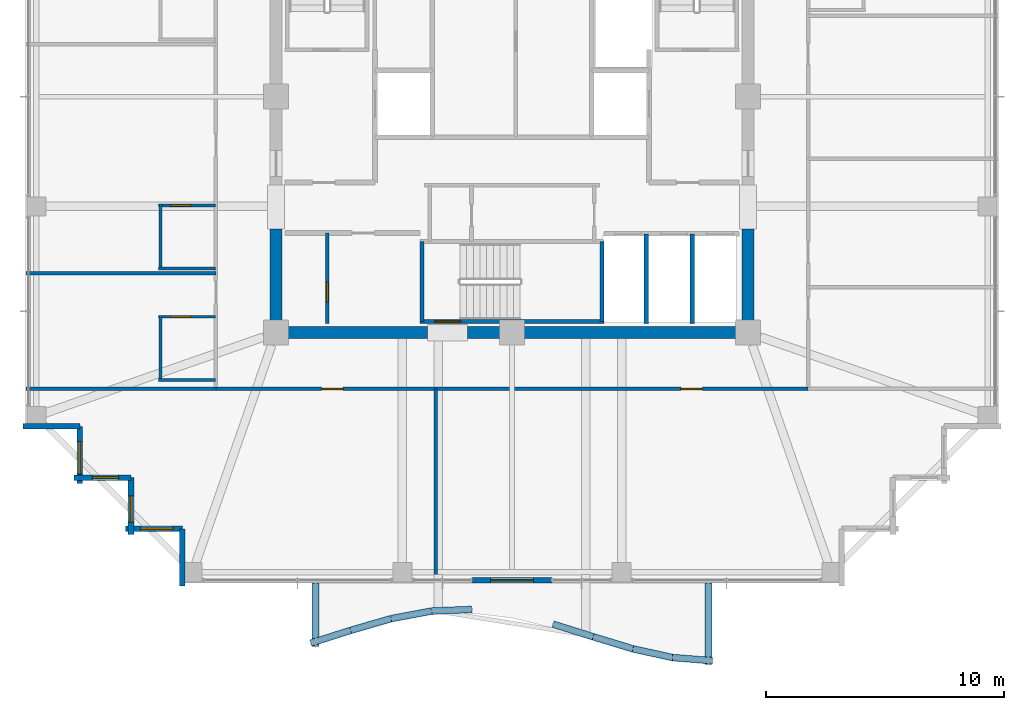
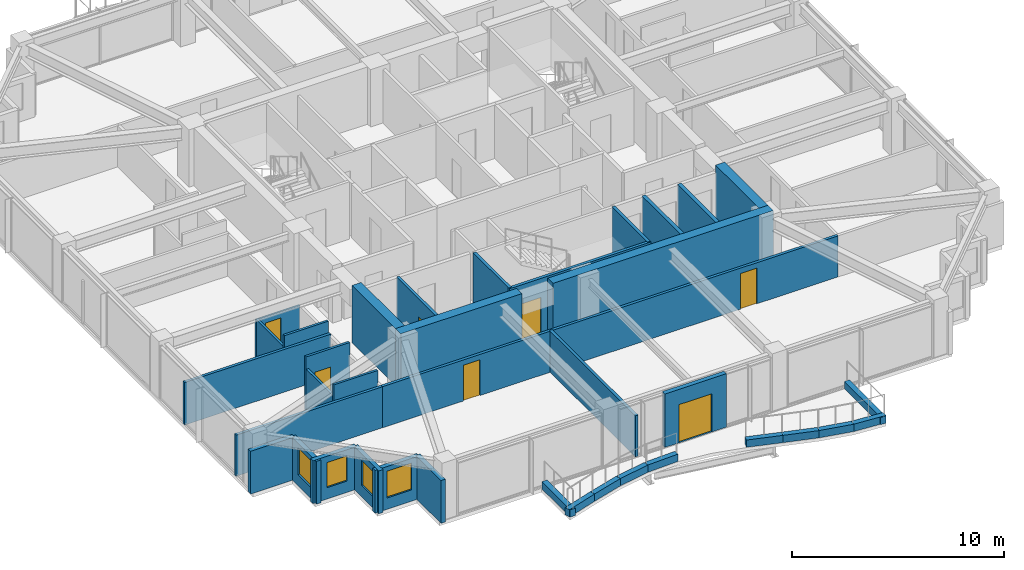
# One storey, part 30 of 36: 37 walls, 7 doors, 4 windows, 11 openings.
"""IFC4 building model written with IfcOpenShell, lengths in metres."""

from ifc_helpers import new_model, si_unit, direction, frame, frame_2d, origin, place, context, subcontext, project, spatial, rectangle, extrude, material, layer, layer_set, type_object, element, fill, save


model = new_model("IFC4")

# Units and contexts
model_context = context("Model", 3, precision=1e-05, world=origin(), true_north=direction((0.0, 1.0)))
body_context = subcontext(model_context, "Body", "Model", "MODEL_VIEW")
ifc_project = project(units=[si_unit("LENGTHUNIT", "METRE"), si_unit("AREAUNIT", "SQUARE_METRE"), si_unit("VOLUMEUNIT", "CUBIC_METRE"), si_unit("PLANEANGLEUNIT", "RADIAN"), si_unit("MASSUNIT", "GRAM", prefix="KILO")], contexts=[model_context])

# Site, building, storey
site_placement = place(None, origin())
site = spatial("IfcSite", under=ifc_project, at=site_placement, CompositionType="ELEMENT")
building_placement = place(site_placement, origin())
building = spatial("IfcBuilding", under=site, at=building_placement, Name="Kolvaren Belvedere", CompositionType="ELEMENT")
storey_placement = place(building_placement, frame((0.0, 0.0, 196.5)))
storey = spatial("IfcBuildingStorey", under=building, at=storey_placement, Name="L57", CompositionType="ELEMENT", Elevation=196.5)

# Walls
ifc_material_1 = material(Name="Concrete C50/60", Category="concrete")
ifc_layer_1 = layer(ifc_material_1, 0.5)
ifc_layer_set_1 = layer_set([ifc_layer_1], Name="Concrete C50/60")
wall_type_1 = type_object("IfcWallType", Name="CW-CORE-500", PredefinedType="SHEAR", material=ifc_layer_set_1)
wall_1_placement = place(storey_placement, frame((10.14990234375, -9.89990234375, 0.0), z_axis=(0.0, 0.0, 1.0), x_axis=(-1.0, 0.0, 0.0)))
element("IfcWall", 1, at=wall_1_placement, inside=storey, type_object=wall_type_1, Name="L57 South Core Shear Wall 1", PredefinedType="SHEAR", context=body_context, shape_type="SweptSolid", body=[
    extrude(rectangle(XDim=12.010009765625, YDim=0.5, at=frame_2d((6.0048828125, 0.0))), origin(), (0.0, 0.0, 1.0), 3.300048828125),
])
wall_2_placement = place(storey_placement, frame((-3.5400390625, -9.89990234375, 0.0), z_axis=(0.0, 0.0, 1.0), x_axis=(-1.0, 0.0, 0.0)))
element("IfcWall", 2, at=wall_2_placement, inside=storey, type_object=wall_type_1, Name="L57 South Core Shear Wall 2", PredefinedType="SHEAR", context=body_context, shape_type="SweptSolid", body=[
    extrude(rectangle(XDim=6.60986328125, YDim=0.5, at=frame_2d((3.304931640625, 0.0))), origin(), (0.0, 0.0, 1.0), 3.300048828125),
])
for number, where, z_axis, x_axis, name in (
    (3, (-9.89990234375, -9.64990234375, 0.0), (0.0, 0.0, 1.0), (0.0, 1.0, 0.0), "L57 West Core Shear Wall 1"),
    (4, (9.89990234375, -9.64990234375, 0.0), (0.0, 0.0, 1.0), (0.0, 1.0, 0.0), "L57 East Core Shear Wall 1"),
):
    element("IfcWall", number, at=place(storey_placement, frame(where, z_axis=z_axis, x_axis=x_axis)), inside=storey, type_object=wall_type_1, Name=name, PredefinedType="SHEAR", context=body_context, shape_type="SweptSolid", body=[
        extrude(rectangle(XDim=4.099853515625, YDim=0.5, at=frame_2d((2.0498046875, 0.0))), origin(), (0.0, 0.0, 1.0), 3.300048828125),
    ])

# Wall, opening, door
ifc_material_2 = material(Name="Concrete C50/60", Category="concrete")
ifc_layer_2 = layer(ifc_material_2, 0.159912109375)
ifc_layer_set_2 = layer_set([ifc_layer_2], Name="Concrete C50/60")
wall_type_2 = type_object("IfcWallType", Name="CW-STAIR-160", PredefinedType="SHEAR", material=ifc_layer_set_2)
wall_3_placement = place(storey_placement, frame((3.860107421875, -9.429931640625, 0.0), z_axis=(0.0, 0.0, 1.0), x_axis=(-1.0, 0.0, 0.0)))
wall_3 = element("IfcWall", 5, at=wall_3_placement, inside=storey, type_object=wall_type_2, Name="L57 Stair ST-3 South Shear Wall", PredefinedType="SHEAR", context=body_context, shape_type="SweptSolid", body=[
    extrude(rectangle(XDim=7.72021484375, YDim=0.159912109375, at=frame_2d((3.860107421875, 0.0))), origin(), (0.0, 0.0, 1.0), 3.300048828125),
])
opening_1_placement = place(wall_3_placement, frame((6.010009765625, 0.0, 0.0)))
opening_1 = element("IfcOpeningElement", 6, at=opening_1_placement, cuts=wall_3, Name="Opening D-FD90", PredefinedType="OPENING", context=body_context, shape_type="SweptSolid", body=[
    extrude(rectangle(XDim=1.10009765625, YDim=2.199951171875, at=frame_2d((0.550048828125, 1.10009765625))), frame((0.0, 0.08984375, 0.0), z_axis=(0.0, -1.0, 0.0), x_axis=(1.0, 0.0, 0.0)), (0.0, 0.0, 1.0), 0.179931640625),
])
ifc_material_3 = material(Name="Painted hollow stainless steel", Category="steel")
door_type_1 = type_object("IfcDoorType", Name="DR-FD90-1100", OperationType="NOTDEFINED", PredefinedType="DOOR", material=ifc_material_3)
door_1_placement = place(opening_1_placement, origin())
door_1 = element("IfcDoor", 7, at=door_1_placement, inside=storey, type_object=door_type_1, Name="L57 Stair ST-3 Exit Door", OperationType="SINGLE_SWING_RIGHT", OverallHeight=2.199951171875, OverallWidth=1.10009765625, PredefinedType="DOOR", context=body_context, shape_type="SweptSolid", body=[
    extrude(rectangle(XDim=1.10009765625, YDim=2.199951171875, at=frame_2d((0.550048828125, 1.10009765625))), frame((0.0, 0.02490234375, 0.0), z_axis=(0.0, -1.0, 0.0), x_axis=(1.0, 0.0, 0.0)), (0.0, 0.0, 1.0), 0.050048828125),
])
fill(opening_1, door_1)

# Walls
for number, where, z_axis, x_axis, name in (
    (8, (-3.780029296875, -9.429931640625, 0.0), (0.0, 0.0, 1.0), (0.0, 1.0, 0.0), "L57 Stair ST-3 West Shear Wall"),
    (9, (3.780029296875, -9.429931640625, 0.0), (0.0, 0.0, 1.0), (0.0, 1.0, 0.0), "L57 Stair ST-3 East Shear Wall"),
):
    element("IfcWall", number, at=place(storey_placement, frame(where, z_axis=z_axis, x_axis=x_axis)), inside=storey, type_object=wall_type_2, Name=name, PredefinedType="SHEAR", context=body_context, shape_type="SweptSolid", body=[
        extrude(rectangle(XDim=3.349853515625, YDim=0.159912109375, at=frame_2d((1.6748046875, 0.0))), origin(), (0.0, 0.0, 1.0), 3.300048828125),
    ])

# Wall, openings, doors
ifc_material_4 = material(Name="Gypsum fire-rated partition assembly", Category="gypsum")
ifc_layer_3 = layer(ifc_material_4, 0.14990234375)
ifc_layer_set_3 = layer_set([ifc_layer_3], Name="Gypsum fire-rated partition assembly")
wall_type_3 = type_object("IfcWallType", Name="WL-CORR-150", PredefinedType="PARTITIONING", material=ifc_layer_set_3)
wall_4_placement = place(storey_placement, frame((-12.419921875, -12.260009765625, 0.0), z_axis=(0.0, 0.0, 1.0), x_axis=(1.0, 0.0, 0.0)))
wall_4 = element("IfcWall", 10, at=wall_4_placement, inside=storey, type_object=wall_type_3, Name="L57 South Corridor Wall", PredefinedType="PARTITIONING", context=body_context, shape_type="SweptSolid", body=[
    extrude(rectangle(XDim=24.83984375, YDim=0.14990234375, at=frame_2d((12.419921875, 0.0))), origin(), (0.0, 0.0, 1.0), 2.368896484375),
])
opening_2_placement = place(wall_4_placement, frame((4.43505859375, 0.0, 0.0)))
opening_2 = element("IfcOpeningElement", 11, at=opening_2_placement, cuts=wall_4, Name="Opening D-INT90", PredefinedType="OPENING", context=body_context, shape_type="SweptSolid", body=[
    extrude(rectangle(XDim=0.89990234375, YDim=2.06005859375, at=frame_2d((0.449951171875, 1.030029296875))), frame((0.0, 0.0849609375, 0.0), z_axis=(0.0, -1.0, 0.0), x_axis=(1.0, 0.0, 0.0)), (0.0, 0.0, 1.0), 0.169921875),
])
opening_3_placement = place(wall_4_placement, frame((19.5048828125, 0.0, 0.0)))
opening_3 = element("IfcOpeningElement", 12, at=opening_3_placement, cuts=wall_4, Name="Opening D-INT90", PredefinedType="OPENING", context=body_context, shape_type="SweptSolid", body=[
    extrude(rectangle(XDim=0.89990234375, YDim=2.06005859375, at=frame_2d((0.449951171875, 1.030029296875))), frame((0.0, 0.0849609375, 0.0), z_axis=(0.0, -1.0, 0.0), x_axis=(1.0, 0.0, 0.0)), (0.0, 0.0, 1.0), 0.169921875),
])
ifc_material_5 = material(Name="Stained Pacific white oak", Category="timber")
door_type_2 = type_object("IfcDoorType", Name="DR-INT-900", OperationType="NOTDEFINED", PredefinedType="DOOR", material=ifc_material_5)
door_2_placement = place(opening_2_placement, origin())
door_2 = element("IfcDoor", 13, at=door_2_placement, inside=storey, type_object=door_type_2, Name="L57 Lounge 5701 Door", OperationType="SINGLE_SWING_RIGHT", OverallHeight=2.06005859375, OverallWidth=0.89990234375, PredefinedType="DOOR", context=body_context, shape_type="SweptSolid", body=[
    extrude(rectangle(XDim=0.89990234375, YDim=2.06005859375, at=frame_2d((0.449951171875, 1.030029296875))), frame((0.0, 0.02490234375, 0.0), z_axis=(0.0, -1.0, 0.0), x_axis=(1.0, 0.0, 0.0)), (0.0, 0.0, 1.0), 0.050048828125),
])
fill(opening_2, door_2)
door_3_placement = place(opening_3_placement, origin())
door_3 = element("IfcDoor", 14, at=door_3_placement, inside=storey, type_object=door_type_2, Name="L57 Lounge 5702 Door", OperationType="SINGLE_SWING_LEFT", OverallHeight=2.06005859375, OverallWidth=0.89990234375, PredefinedType="DOOR", context=body_context, shape_type="SweptSolid", body=[
    extrude(rectangle(XDim=0.89990234375, YDim=2.06005859375, at=frame_2d((0.449951171875, 1.030029296875))), frame((0.0, 0.02490234375, 0.0), z_axis=(0.0, -1.0, 0.0), x_axis=(1.0, 0.0, 0.0)), (0.0, 0.0, 1.0), 0.050048828125),
])
fill(opening_3, door_3)

# Wall, opening, door
ifc_material_6 = material(Name="Insulated pale-metal facade wall assembly", Category="aluminium")
ifc_layer_4 = layer(ifc_material_6, 0.239990234375)
ifc_layer_set_4 = layer_set([ifc_layer_4], Name="Insulated pale-metal facade wall assembly")
wall_type_4 = type_object("IfcWallType", Name="WL-EXT-240", PredefinedType="STANDARD", material=ifc_layer_set_4)
wall_5_placement = place(storey_placement, frame((1.679931640625, -20.280029296875, 0.0), z_axis=(0.0, 0.0, 1.0), x_axis=(-1.0, 0.0, 0.0)))
wall_5 = element("IfcWall", 15, at=wall_5_placement, inside=storey, type_object=wall_type_4, Name="L57 South Terrace Portal Wall", PredefinedType="STANDARD", context=body_context, shape_type="SweptSolid", body=[
    extrude(rectangle(XDim=3.35986328125, YDim=0.239990234375, at=frame_2d((1.679931640625, 0.0))), origin(), (0.0, 0.0, 1.0), 3.080078125),
])
opening_4_placement = place(wall_5_placement, frame((0.780029296875, 0.0, 0.0)))
opening_4 = element("IfcOpeningElement", 16, at=opening_4_placement, cuts=wall_5, Name="Opening DB-1800", PredefinedType="OPENING", context=body_context, shape_type="SweptSolid", body=[
    extrude(rectangle(XDim=1.800048828125, YDim=2.199951171875, at=frame_2d((0.89990234375, 1.10009765625))), frame((0.0, 0.1298828125, 0.0), z_axis=(0.0, -1.0, 0.0), x_axis=(1.0, 0.0, 0.0)), (0.0, 0.0, 1.0), 0.260009765625),
])
ifc_material_7 = material(Name="Thermally broken pale-metal aluminium & low-iron glass", Category="aluminium")
door_type_3 = type_object("IfcDoorType", Name="DR-BAL-1800", OperationType="DOUBLE_DOOR_SLIDING", PredefinedType="DOOR", material=ifc_material_7)
door_4_placement = place(opening_4_placement, origin())
door_4 = element("IfcDoor", 17, at=door_4_placement, inside=storey, type_object=door_type_3, Name="L57 South Planted Terrace Sliding Door", OperationType="DOUBLE_DOOR_SLIDING", OverallHeight=2.199951171875, OverallWidth=1.800048828125, PredefinedType="DOOR", context=body_context, shape_type="SweptSolid", body=[
    extrude(rectangle(XDim=1.800048828125, YDim=2.199951171875, at=frame_2d((0.89990234375, 1.10009765625))), frame((0.0, 0.02490234375, 0.0), z_axis=(0.0, -1.0, 0.0), x_axis=(1.0, 0.0, 0.0)), (0.0, 0.0, 1.0), 0.050048828125),
])
fill(opening_4, door_4)

# Wall
wall_6_placement = place(storey_placement, frame((-18.1298828125, -13.830078125, 0.0), z_axis=(0.0, 0.0, 1.0), x_axis=(-1.0, 0.0, 0.0)))
element("IfcWall", 18, at=wall_6_placement, inside=storey, type_object=wall_type_4, Name="L57 Serrated Corner Facade Wall 23", PredefinedType="STANDARD", context=body_context, shape_type="SweptSolid", body=[
    extrude(rectangle(XDim=2.39013671875, YDim=0.239990234375, at=frame_2d((1.195068359375, 0.0))), origin(), (0.0, 0.0, 1.0), 2.462890625),
])

# Wall, opening, window
wall_7_placement = place(storey_placement, frame((-18.1298828125, -16.219970703125, 0.0), z_axis=(0.0, 0.0, 1.0), x_axis=(0.0, 1.0, 0.0)))
wall_7 = element("IfcWall", 19, at=wall_7_placement, inside=storey, type_object=wall_type_4, Name="L57 Serrated Corner Facade Wall 24", PredefinedType="STANDARD", context=body_context, shape_type="SweptSolid", body=[
    extrude(rectangle(XDim=2.389892578125, YDim=0.239990234375, at=frame_2d((1.19482421875, 0.0))), origin(), (0.0, 0.0, 1.0), 2.462890625),
])
opening_5_placement = place(wall_7_placement, frame((0.39990234375, 0.0, 0.64990234375)))
opening_5 = element("IfcOpeningElement", 20, at=opening_5_placement, cuts=wall_7, Name="Opening W-1350", PredefinedType="OPENING", context=body_context, shape_type="SweptSolid", body=[
    extrude(rectangle(XDim=1.35009765625, YDim=1.550048828125, at=frame_2d((0.675048828125, 0.77490234375))), frame((0.0, 0.1298828125, 0.0), z_axis=(0.0, -1.0, 0.0), x_axis=(1.0, 0.0, 0.0)), (0.0, 0.0, 1.0), 0.260009765625),
])
ifc_material_8 = material(Name="Low-iron triple insulated glass", Category="glass")
window_type_1 = type_object("IfcWindowType", Name="WN-CORN-1350", PartitioningType="SINGLE_PANEL", PredefinedType="WINDOW", material=ifc_material_8)
window_1_placement = place(opening_5_placement, origin())
window_1 = element("IfcWindow", 21, at=window_1_placement, inside=storey, type_object=window_type_1, Name="L57 Serrated Corner Vision Window 24", OverallHeight=1.550048828125, OverallWidth=1.35009765625, PartitioningType="SINGLE_PANEL", PredefinedType="WINDOW", context=body_context, shape_type="SweptSolid", body=[
    extrude(rectangle(XDim=1.35009765625, YDim=1.550048828125, at=frame_2d((0.675048828125, 0.77490234375))), frame((0.0, 0.030029296875, 0.0), z_axis=(0.0, -1.0, 0.0), x_axis=(1.0, 0.0, 0.0)), (0.0, 0.0, 1.0), 0.06005859375),
])
fill(opening_5, window_1)

wall_8_placement = place(storey_placement, frame((-15.97998046875, -15.97998046875, 0.0), z_axis=(0.0, 0.0, 1.0), x_axis=(-1.0, 0.0, 0.0)))
wall_8 = element("IfcWall", 22, at=wall_8_placement, inside=storey, type_object=wall_type_4, Name="L57 Serrated Corner Facade Wall 25", PredefinedType="STANDARD", context=body_context, shape_type="SweptSolid", body=[
    extrude(rectangle(XDim=2.39013671875, YDim=0.239990234375, at=frame_2d((1.195068359375, 0.0))), origin(), (0.0, 0.0, 1.0), 2.462890625),
])
opening_6_placement = place(wall_8_placement, frame((0.52490234375, 0.0, 0.64990234375)))
opening_6 = element("IfcOpeningElement", 23, at=opening_6_placement, cuts=wall_8, Name="Opening W-1100", PredefinedType="OPENING", context=body_context, shape_type="SweptSolid", body=[
    extrude(rectangle(XDim=1.10009765625, YDim=1.449951171875, at=frame_2d((0.550048828125, 0.72509765625))), frame((0.0, 0.1298828125, 0.0), z_axis=(0.0, -1.0, 0.0), x_axis=(1.0, 0.0, 0.0)), (0.0, 0.0, 1.0), 0.260009765625),
])
ifc_material_9 = material(Name="Low-iron triple insulated glass", Category="glass")
window_type_2 = type_object("IfcWindowType", Name="WN-CORN-1100", PartitioningType="SINGLE_PANEL", PredefinedType="WINDOW", material=ifc_material_9)
window_2_placement = place(opening_6_placement, origin())
window_2 = element("IfcWindow", 24, at=window_2_placement, inside=storey, type_object=window_type_2, Name="L57 Serrated Corner Vision Window 25", OverallHeight=1.449951171875, OverallWidth=1.10009765625, PartitioningType="SINGLE_PANEL", PredefinedType="WINDOW", context=body_context, shape_type="SweptSolid", body=[
    extrude(rectangle(XDim=1.10009765625, YDim=1.449951171875, at=frame_2d((0.550048828125, 0.72509765625))), frame((0.0, 0.030029296875, 0.0), z_axis=(0.0, -1.0, 0.0), x_axis=(1.0, 0.0, 0.0)), (0.0, 0.0, 1.0), 0.06005859375),
])
fill(opening_6, window_2)

wall_9_placement = place(storey_placement, frame((-15.97998046875, -18.3701171875, 0.0), z_axis=(0.0, 0.0, 1.0), x_axis=(0.0, 1.0, 0.0)))
wall_9 = element("IfcWall", 25, at=wall_9_placement, inside=storey, type_object=wall_type_4, Name="L57 Serrated Corner Facade Wall 26", PredefinedType="STANDARD", context=body_context, shape_type="SweptSolid", body=[
    extrude(rectangle(XDim=2.39013671875, YDim=0.239990234375, at=frame_2d((1.195068359375, 0.0))), origin(), (0.0, 0.0, 1.0), 2.462890625),
])
opening_7_placement = place(wall_9_placement, frame((0.52490234375, 0.0, 0.64990234375)))
opening_7 = element("IfcOpeningElement", 26, at=opening_7_placement, cuts=wall_9, Name="Opening W-1100", PredefinedType="OPENING", context=body_context, shape_type="SweptSolid", body=[
    extrude(rectangle(XDim=1.10009765625, YDim=1.449951171875, at=frame_2d((0.550048828125, 0.72509765625))), frame((0.0, 0.1298828125, 0.0), z_axis=(0.0, -1.0, 0.0), x_axis=(1.0, 0.0, 0.0)), (0.0, 0.0, 1.0), 0.260009765625),
])
window_3_placement = place(opening_7_placement, origin())
window_3 = element("IfcWindow", 27, at=window_3_placement, inside=storey, type_object=window_type_2, Name="L57 Serrated Corner Vision Window 26", OverallHeight=1.449951171875, OverallWidth=1.10009765625, PartitioningType="SINGLE_PANEL", PredefinedType="WINDOW", context=body_context, shape_type="SweptSolid", body=[
    extrude(rectangle(XDim=1.10009765625, YDim=1.449951171875, at=frame_2d((0.550048828125, 0.72509765625))), frame((0.0, 0.030029296875, 0.0), z_axis=(0.0, -1.0, 0.0), x_axis=(1.0, 0.0, 0.0)), (0.0, 0.0, 1.0), 0.06005859375),
])
fill(opening_7, window_3)

wall_10_placement = place(storey_placement, frame((-13.830078125, -18.1298828125, 0.0), z_axis=(0.0, 0.0, 1.0), x_axis=(-1.0, 0.0, 0.0)))
wall_10 = element("IfcWall", 28, at=wall_10_placement, inside=storey, type_object=wall_type_4, Name="L57 Serrated Corner Facade Wall 27", PredefinedType="STANDARD", context=body_context, shape_type="SweptSolid", body=[
    extrude(rectangle(XDim=2.389892578125, YDim=0.239990234375, at=frame_2d((1.19482421875, 0.0))), origin(), (0.0, 0.0, 1.0), 2.462890625),
])
opening_8_placement = place(wall_10_placement, frame((0.39990234375, 0.0, 0.64990234375)))
opening_8 = element("IfcOpeningElement", 29, at=opening_8_placement, cuts=wall_10, Name="Opening W-1350", PredefinedType="OPENING", context=body_context, shape_type="SweptSolid", body=[
    extrude(rectangle(XDim=1.35009765625, YDim=1.550048828125, at=frame_2d((0.675048828125, 0.77490234375))), frame((0.0, 0.1298828125, 0.0), z_axis=(0.0, -1.0, 0.0), x_axis=(1.0, 0.0, 0.0)), (0.0, 0.0, 1.0), 0.260009765625),
])
window_4_placement = place(opening_8_placement, origin())
window_4 = element("IfcWindow", 30, at=window_4_placement, inside=storey, type_object=window_type_1, Name="L57 Serrated Corner Vision Window 27", OverallHeight=1.550048828125, OverallWidth=1.35009765625, PartitioningType="SINGLE_PANEL", PredefinedType="WINDOW", context=body_context, shape_type="SweptSolid", body=[
    extrude(rectangle(XDim=1.35009765625, YDim=1.550048828125, at=frame_2d((0.675048828125, 0.77490234375))), frame((0.0, 0.030029296875, 0.0), z_axis=(0.0, -1.0, 0.0), x_axis=(1.0, 0.0, 0.0)), (0.0, 0.0, 1.0), 0.06005859375),
])
fill(opening_8, window_4)

# Wall
wall_11_placement = place(storey_placement, frame((-13.830078125, -20.52001953125, 0.0), z_axis=(0.0, 0.0, 1.0), x_axis=(0.0, 1.0, 0.0)))
element("IfcWall", 31, at=wall_11_placement, inside=storey, type_object=wall_type_4, Name="L57 Serrated Corner Facade Wall 28", PredefinedType="STANDARD", context=body_context, shape_type="SweptSolid", body=[
    extrude(rectangle(XDim=2.39013671875, YDim=0.239990234375, at=frame_2d((1.195068359375, 0.0))), origin(), (0.0, 0.0, 1.0), 2.462890625),
])

# Wall, opening, door
ifc_material_10 = material(Name="Gypsum acoustic partition assembly", Category="gypsum")
ifc_layer_5 = layer(ifc_material_10, 0.14990234375)
ifc_layer_set_5 = layer_set([ifc_layer_5], Name="Gypsum acoustic partition assembly")
wall_type_5 = type_object("IfcWallType", Name="WL-PART-150", PredefinedType="PARTITIONING", material=ifc_layer_set_5)
wall_12_placement = place(storey_placement, frame((-7.75, -9.52001953125, 0.0), z_axis=(0.0, 0.0, 1.0), x_axis=(0.0, 1.0, 0.0)))
wall_12 = element("IfcWall", 32, at=wall_12_placement, inside=storey, type_object=wall_type_5, Name="L57 Reclaimed Mid Store Divider", PredefinedType="PARTITIONING", context=body_context, shape_type="SweptSolid", body=[
    extrude(rectangle(XDim=3.800048828125, YDim=0.14990234375, at=frame_2d((1.89990234375, 0.0))), origin(), (0.0, 0.0, 1.0), 3.080078125),
])
opening_9_placement = place(wall_12_placement, frame((0.89990234375, 0.0, 0.0)))
opening_9 = element("IfcOpeningElement", 33, at=opening_9_placement, cuts=wall_12, Name="Opening D-INT85", PredefinedType="OPENING", context=body_context, shape_type="SweptSolid", body=[
    extrude(rectangle(XDim=0.85009765625, YDim=2.030029296875, at=frame_2d((0.425048828125, 1.01513671875))), frame((0.0, 0.0849609375, 0.0), z_axis=(0.0, -1.0, 0.0), x_axis=(1.0, 0.0, 0.0)), (0.0, 0.0, 1.0), 0.169921875),
])
ifc_material_11 = material(Name="Stained Pacific white oak", Category="timber")
door_type_4 = type_object("IfcDoorType", Name="DR-INT-850", OperationType="NOTDEFINED", PredefinedType="DOOR", material=ifc_material_11)
door_5_placement = place(opening_9_placement, origin())
door_5 = element("IfcDoor", 34, at=door_5_placement, inside=storey, type_object=door_type_4, Name="L57 Janitor Store Door", OperationType="SINGLE_SWING_RIGHT", OverallHeight=2.030029296875, OverallWidth=0.85009765625, PredefinedType="DOOR", context=body_context, shape_type="SweptSolid", body=[
    extrude(rectangle(XDim=0.85009765625, YDim=2.030029296875, at=frame_2d((0.425048828125, 1.01513671875))), frame((0.0, 0.02490234375, 0.0), z_axis=(0.0, -1.0, 0.0), x_axis=(1.0, 0.0, 0.0)), (0.0, 0.0, 1.0), 0.050048828125),
])
fill(opening_9, door_5)

# Walls
wall_13_placement = place(storey_placement, frame((-20.3798828125, -12.260009765625, 0.0), z_axis=(0.0, 0.0, 1.0), x_axis=(1.0, 0.0, 0.0)))
element("IfcWall", 35, at=wall_13_placement, inside=storey, type_object=wall_type_5, Name="L57 Wing Divider PW-L57-QSW", PredefinedType="PARTITIONING", context=body_context, shape_type="SweptSolid", body=[
    extrude(rectangle(XDim=7.9599609375, YDim=0.14990234375, at=frame_2d((3.97998046875, 0.0))), origin(), (0.0, 0.0, 1.0), 2.368896484375),
])
wall_14_placement = place(storey_placement, frame((-3.199951171875, -20.3798828125, 0.0), z_axis=(0.0, 0.0, 1.0), x_axis=(0.0, 1.0, 0.0)))
element("IfcWall", 36, at=wall_14_placement, inside=storey, type_object=wall_type_5, Name="L57 South Suite Demising Wall 1", PredefinedType="PARTITIONING", context=body_context, shape_type="SweptSolid", body=[
    extrude(rectangle(XDim=8.119873046875, YDim=0.14990234375, at=frame_2d((4.06005859375, 0.0))), origin(), (0.0, 0.0, 1.0), 2.368896484375),
])
wall_15_placement = place(storey_placement, frame((-20.3798828125, -7.39990234375, 0.0), z_axis=(0.0, 0.0, 1.0), x_axis=(1.0, 0.0, 0.0)))
element("IfcWall", 37, at=wall_15_placement, inside=storey, type_object=wall_type_5, Name="L57 West Suite Demising Wall 1", PredefinedType="PARTITIONING", context=body_context, shape_type="SweptSolid", body=[
    extrude(rectangle(XDim=7.9599609375, YDim=0.14990234375, at=frame_2d((3.97998046875, 0.0))), origin(), (0.0, 0.0, 1.0), 2.452880859375),
])
ifc_material_12 = material(Name="Precast concrete C40/50", Category="concrete")
ifc_layer_6 = layer(ifc_material_12, 0.300048828125)
ifc_layer_set_6 = layer_set([ifc_layer_6], Name="Precast concrete C40/50")
wall_type_6 = type_object("IfcWallType", Name="WL-PLANTER-300", PredefinedType="PARAPET", material=ifc_layer_set_6)
wall_16_placement = place(storey_placement, frame((-8.448486328125, -22.92138671875, -0.0400390625), z_axis=(0.0, 0.0, 1.0), x_axis=(0.952661770826, 0.304032153573, 0.0)))
element("IfcWall", 38, at=wall_16_placement, inside=storey, type_object=wall_type_6, Name="L57 Precast Structural Planter Wall BAL-S-1", PredefinedType="PARAPET", context=body_context, shape_type="SweptSolid", body=[
    extrude(rectangle(XDim=1.763427734375, YDim=0.280029296875, at=frame_2d((0.8818359375, 0.0))), origin(), (0.0, 0.0, 1.0), 0.419921875),
])
wall_17_placement = place(storey_placement, frame((-6.764404296875, -22.3837890625, -0.0400390625), z_axis=(0.0, 0.0, 1.0), x_axis=(0.960633903819, 0.277817391164, 0.0)))
element("IfcWall", 39, at=wall_17_placement, inside=storey, type_object=wall_type_6, Name="L57 Precast Structural Planter Wall BAL-S-2", PredefinedType="PARAPET", context=body_context, shape_type="SweptSolid", body=[
    extrude(rectangle(XDim=1.748779296875, YDim=0.280029296875, at=frame_2d((0.87451171875, 0.0))), origin(), (0.0, 0.0, 1.0), 0.419921875),
])
wall_18_placement = place(storey_placement, frame((-5.069580078125, -21.894287109375, -0.0400390625), z_axis=(0.0, 0.0, 1.0), x_axis=(0.982799348901, 0.18467658162, 0.0)))
element("IfcWall", 40, at=wall_18_placement, inside=storey, type_object=wall_type_6, Name="L57 Precast Structural Planter Wall BAL-S-3", PredefinedType="PARAPET", context=body_context, shape_type="SweptSolid", body=[
    extrude(rectangle(XDim=1.709228515625, YDim=0.280029296875, at=frame_2d((0.8544921875, 0.0))), origin(), (0.0, 0.0, 1.0), 0.419921875),
])
wall_19_placement = place(storey_placement, frame((-3.366455078125, -21.575927734375, -0.0400390625), z_axis=(0.0, 0.0, 1.0), x_axis=(0.999196778482, 0.040072407855, 0.0)))
element("IfcWall", 41, at=wall_19_placement, inside=storey, type_object=wall_type_6, Name="L57 Precast Structural Planter Wall BAL-S-4", PredefinedType="PARAPET", context=body_context, shape_type="SweptSolid", body=[
    extrude(rectangle(XDim=1.681640625, YDim=0.280029296875, at=frame_2d((0.8408203125, 0.0))), origin(), (0.0, 0.0, 1.0), 0.419921875),
])
wall_20_placement = place(storey_placement, frame((1.727783203125, -22.127685546875, -0.0400390625), z_axis=(0.0, 0.0, 1.0), x_axis=(0.954069594374, -0.299585061529, 0.0)))
element("IfcWall", 42, at=wall_20_placement, inside=storey, type_object=wall_type_6, Name="L57 Precast Structural Planter Wall BAL-S-7", PredefinedType="PARAPET", context=body_context, shape_type="SweptSolid", body=[
    extrude(rectangle(XDim=1.760986328125, YDim=0.280029296875, at=frame_2d((0.88037109375, 0.0))), origin(), (0.0, 0.0, 1.0), 0.419921875),
])
wall_21_placement = place(storey_placement, frame((3.406494140625, -22.65478515625, -0.0400390625), z_axis=(0.0, 0.0, 1.0), x_axis=(0.956771481005, -0.290840734999, 0.0)))
element("IfcWall", 43, at=wall_21_placement, inside=storey, type_object=wall_type_6, Name="L57 Precast Structural Planter Wall BAL-S-8", PredefinedType="PARAPET", context=body_context, shape_type="SweptSolid", body=[
    extrude(rectangle(XDim=1.756103515625, YDim=0.280029296875, at=frame_2d((0.8779296875, 0.0))), origin(), (0.0, 0.0, 1.0), 0.419921875),
])
wall_22_placement = place(storey_placement, frame((5.07421875, -23.162353515625, -0.0400390625), z_axis=(0.0, 0.0, 1.0), x_axis=(0.976876857632, -0.213802724545, 0.0)))
element("IfcWall", 44, at=wall_22_placement, inside=storey, type_object=wall_type_6, Name="L57 Precast Structural Planter Wall BAL-S-9", PredefinedType="PARAPET", context=body_context, shape_type="SweptSolid", body=[
    extrude(rectangle(XDim=1.7197265625, YDim=0.280029296875, at=frame_2d((0.85986328125, 0.0))), origin(), (0.0, 0.0, 1.0), 0.419921875),
])
wall_23_placement = place(storey_placement, frame((6.732666015625, -23.52685546875, -0.0400390625), z_axis=(0.0, 0.0, 1.0), x_axis=(0.99685522818, -0.079244268248, 0.0)))
element("IfcWall", 45, at=wall_23_placement, inside=storey, type_object=wall_type_6, Name="L57 Precast Structural Planter Wall BAL-S-10", PredefinedType="PARAPET", context=body_context, shape_type="SweptSolid", body=[
    extrude(rectangle(XDim=1.685302734375, YDim=0.280029296875, at=frame_2d((0.8427734375, 0.0))), origin(), (0.0, 0.0, 1.0), 0.419921875),
])
wall_24_placement = place(storey_placement, frame((8.239990234375, -23.820068359375, -0.0400390625), z_axis=(0.0, 0.0, 1.0), x_axis=(0.0, 1.0, 0.0)))
element("IfcWall", 46, at=wall_24_placement, inside=storey, type_object=wall_type_6, Name="L57 Precast Structural Planter Wall BAL-S-11", PredefinedType="PARAPET", context=body_context, shape_type="SweptSolid", body=[
    extrude(rectangle(XDim=3.420166015625, YDim=0.280029296875, at=frame_2d((1.7099609375, 0.0))), origin(), (0.0, 0.0, 1.0), 0.419921875),
])
wall_25_placement = place(storey_placement, frame((-8.239990234375, -20.39990234375, -0.0400390625), z_axis=(0.0, 0.0, 1.0), x_axis=(0.0, -1.0, 0.0)))
element("IfcWall", 47, at=wall_25_placement, inside=storey, type_object=wall_type_6, Name="L57 Precast Structural Planter Wall BAL-S-22", PredefinedType="PARAPET", context=body_context, shape_type="SweptSolid", body=[
    extrude(rectangle(XDim=2.673828125, YDim=0.280029296875, at=frame_2d((1.3369140625, 0.0))), origin(), (0.0, 0.0, 1.0), 0.419921875),
])
ifc_material_13 = material(Name="Concrete C50/60", Category="concrete")
ifc_layer_7 = layer(ifc_material_13, 0.199951171875)
ifc_layer_set_7 = layer_set([ifc_layer_7], Name="Concrete C50/60")
wall_type_7 = type_object("IfcWallType", Name="WL-SHAFT-200", PredefinedType="SOLIDWALL", material=ifc_layer_set_7)
for number, where, z_axis, x_axis, name in (
    (48, (5.6298828125, -9.52001953125, 0.0), (0.0, 0.0, 1.0), (0.0, 1.0, 0.0), "L57 High-Rise Hoistway Divider 1"),
    (49, (7.56005859375, -9.52001953125, 0.0), (0.0, 0.0, 1.0), (0.0, 1.0, 0.0), "L57 High-Rise Hoistway Divider 2"),
):
    element("IfcWall", number, at=place(storey_placement, frame(where, z_axis=z_axis, x_axis=x_axis)), inside=storey, type_object=wall_type_7, Name=name, PredefinedType="SOLIDWALL", context=body_context, shape_type="SweptSolid", body=[
        extrude(rectangle(XDim=3.77001953125, YDim=0.199951171875, at=frame_2d((1.885009765625, 0.0))), origin(), (0.0, 0.0, 1.0), 3.080078125),
    ])

# Wall, opening, door
ifc_material_14 = material(Name="Moisture-resistant gypsum partition", Category="gypsum")
ifc_layer_8 = layer(ifc_material_14, 0.125)
ifc_layer_set_8 = layer_set([ifc_layer_8], Name="Moisture-resistant gypsum partition")
wall_type_8 = type_object("IfcWallType", Name="WL-WET-125", PredefinedType="PARTITIONING", material=ifc_layer_set_8)
wall_26_placement = place(storey_placement, frame((-14.824951171875, -9.23095703125, 0.0), z_axis=(0.0, 0.0, 1.0), x_axis=(1.0, 0.0, 0.0)))
wall_26 = element("IfcWall", 50, at=wall_26_placement, inside=storey, type_object=wall_type_8, Name="L57 Bathroom Partition PW-L57-BTH-8-N", PredefinedType="PARTITIONING", context=body_context, shape_type="SweptSolid", body=[
    extrude(rectangle(XDim=2.389892578125, YDim=0.125, at=frame_2d((1.19482421875, 0.0))), origin(), (0.0, 0.0, 1.0), 3.080078125),
])
opening_10_placement = place(wall_26_placement, frame((0.5, 0.0, 0.0)))
opening_10 = element("IfcOpeningElement", 51, at=opening_10_placement, cuts=wall_26, Name="Opening D-BTH85", PredefinedType="OPENING", context=body_context, shape_type="SweptSolid", body=[
    extrude(rectangle(XDim=0.85009765625, YDim=2.030029296875, at=frame_2d((0.425048828125, 1.01513671875))), frame((0.0, 0.072509765625, 0.0), z_axis=(0.0, -1.0, 0.0), x_axis=(1.0, 0.0, 0.0)), (0.0, 0.0, 1.0), 0.14501953125),
])
ifc_material_15 = material(Name="Moisture-sealed Pacific white oak", Category="timber")
door_type_5 = type_object("IfcDoorType", Name="DR-BATH-850", OperationType="NOTDEFINED", PredefinedType="DOOR", material=ifc_material_15)
door_6_placement = place(opening_10_placement, origin())
door_6 = element("IfcDoor", 52, at=door_6_placement, inside=storey, type_object=door_type_5, Name="L57 En-Suite Bathroom 5708 Door", OperationType="SINGLE_SWING_RIGHT", OverallHeight=2.030029296875, OverallWidth=0.85009765625, PredefinedType="DOOR", context=body_context, shape_type="SweptSolid", body=[
    extrude(rectangle(XDim=0.85009765625, YDim=2.030029296875, at=frame_2d((0.425048828125, 1.01513671875))), frame((0.0, 0.02490234375, 0.0), z_axis=(0.0, -1.0, 0.0), x_axis=(1.0, 0.0, 0.0)), (0.0, 0.0, 1.0), 0.050048828125),
])
fill(opening_10, door_6)

# Walls
wall_27_placement = place(storey_placement, frame((-14.7451171875, -11.94091796875, 0.0), z_axis=(0.0, 0.0, 1.0), x_axis=(0.0, 1.0, 0.0)))
element("IfcWall", 53, at=wall_27_placement, inside=storey, type_object=wall_type_8, Name="L57 Bathroom Partition PW-L57-BTH-8-V", PredefinedType="PARTITIONING", context=body_context, shape_type="SweptSolid", body=[
    extrude(rectangle(XDim=2.77001953125, YDim=0.125, at=frame_2d((1.385009765625, 0.0))), origin(), (0.0, 0.0, 1.0), 2.368896484375),
])
wall_28_placement = place(storey_placement, frame((-14.824951171875, -11.881103515625, 0.0), z_axis=(0.0, 0.0, 1.0), x_axis=(1.0, 0.0, 0.0)))
element("IfcWall", 54, at=wall_28_placement, inside=storey, type_object=wall_type_8, Name="L57 Bathroom Partition PW-L57-BTH-8-S", PredefinedType="PARTITIONING", context=body_context, shape_type="SweptSolid", body=[
    extrude(rectangle(XDim=2.389892578125, YDim=0.125, at=frame_2d((1.19482421875, 0.0))), origin(), (0.0, 0.0, 1.0), 3.080078125),
])

# Wall, opening, door
wall_29_placement = place(storey_placement, frame((-14.824951171875, -4.554931640625, 0.0), z_axis=(0.0, 0.0, 1.0), x_axis=(1.0, 0.0, 0.0)))
wall_29 = element("IfcWall", 55, at=wall_29_placement, inside=storey, type_object=wall_type_8, Name="L57 Bathroom Partition PW-L57-BTH-9-N", PredefinedType="PARTITIONING", context=body_context, shape_type="SweptSolid", body=[
    extrude(rectangle(XDim=2.389892578125, YDim=0.125, at=frame_2d((1.19482421875, 0.0))), origin(), (0.0, 0.0, 1.0), 2.368896484375),
])
opening_11_placement = place(wall_29_placement, frame((0.5, 0.0, 0.0)))
opening_11 = element("IfcOpeningElement", 56, at=opening_11_placement, cuts=wall_29, Name="Opening D-BTH85", PredefinedType="OPENING", context=body_context, shape_type="SweptSolid", body=[
    extrude(rectangle(XDim=0.85009765625, YDim=2.030029296875, at=frame_2d((0.425048828125, 1.01513671875))), frame((0.0, 0.072509765625, 0.0), z_axis=(0.0, -1.0, 0.0), x_axis=(1.0, 0.0, 0.0)), (0.0, 0.0, 1.0), 0.14501953125),
])
door_7_placement = place(opening_11_placement, origin())
door_7 = element("IfcDoor", 57, at=door_7_placement, inside=storey, type_object=door_type_5, Name="L57 En-Suite Bathroom 5709 Door", OperationType="SINGLE_SWING_RIGHT", OverallHeight=2.030029296875, OverallWidth=0.85009765625, PredefinedType="DOOR", context=body_context, shape_type="SweptSolid", body=[
    extrude(rectangle(XDim=0.85009765625, YDim=2.030029296875, at=frame_2d((0.425048828125, 1.01513671875))), frame((0.0, 0.02490234375, 0.0), z_axis=(0.0, -1.0, 0.0), x_axis=(1.0, 0.0, 0.0)), (0.0, 0.0, 1.0), 0.050048828125),
])
fill(opening_11, door_7)

# Walls
wall_30_placement = place(storey_placement, frame((-14.7451171875, -7.264892578125, 0.0), z_axis=(0.0, 0.0, 1.0), x_axis=(0.0, 1.0, 0.0)))
element("IfcWall", 58, at=wall_30_placement, inside=storey, type_object=wall_type_8, Name="L57 Bathroom Partition PW-L57-BTH-9-V", PredefinedType="PARTITIONING", context=body_context, shape_type="SweptSolid", body=[
    extrude(rectangle(XDim=2.769775390625, YDim=0.125, at=frame_2d((1.384765625, 0.0))), origin(), (0.0, 0.0, 1.0), 2.368896484375),
])
wall_31_placement = place(storey_placement, frame((-14.824951171875, -7.205078125, 0.0), z_axis=(0.0, 0.0, 1.0), x_axis=(1.0, 0.0, 0.0)))
element("IfcWall", 59, at=wall_31_placement, inside=storey, type_object=wall_type_8, Name="L57 Bathroom Partition PW-L57-BTH-9-S", PredefinedType="PARTITIONING", context=body_context, shape_type="SweptSolid", body=[
    extrude(rectangle(XDim=2.389892578125, YDim=0.125, at=frame_2d((1.19482421875, 0.0))), origin(), (0.0, 0.0, 1.0), 3.080078125),
])

save(model, "model.ifc")
